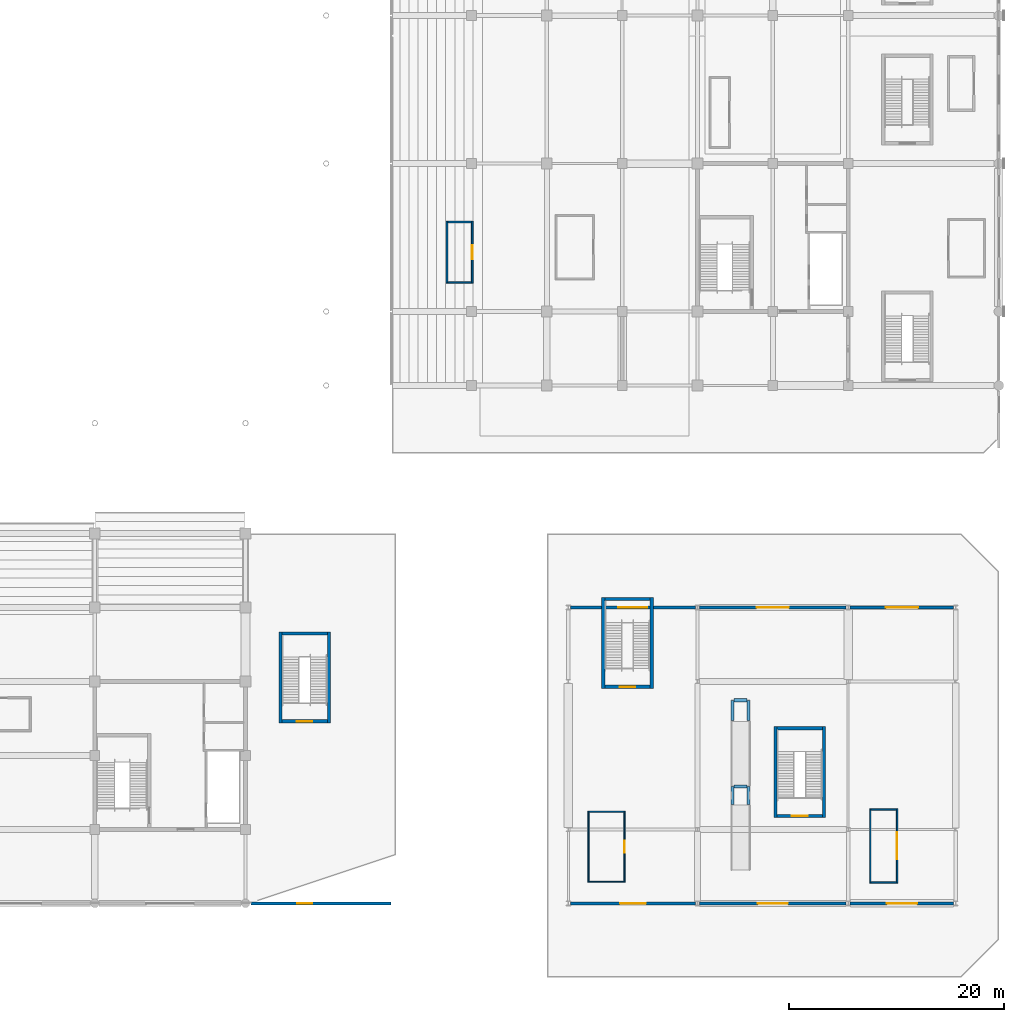
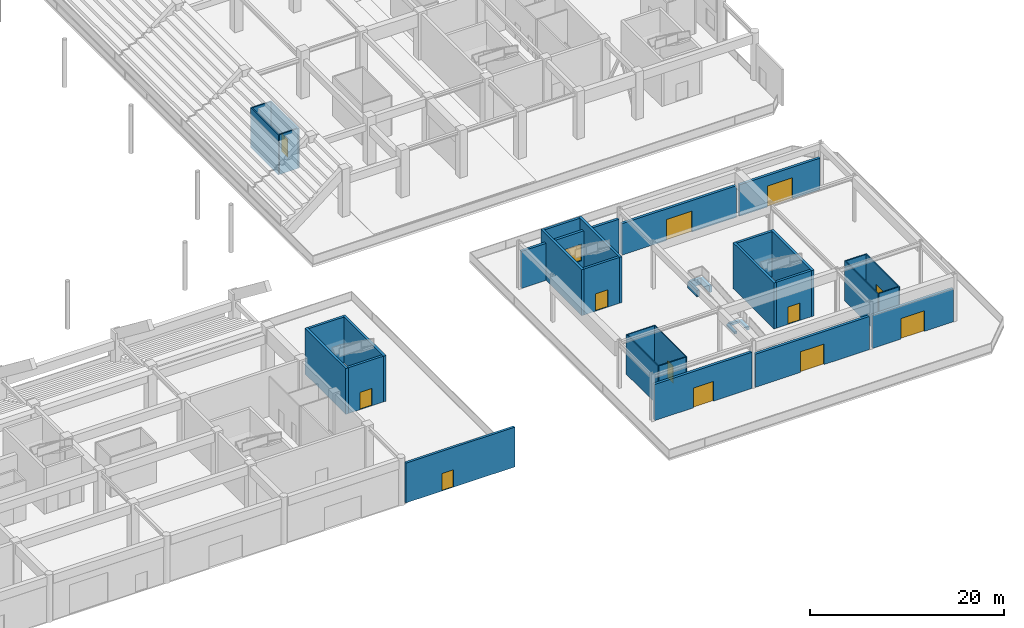
# One storey, part 43 of 73: 37 walls, 12 doors, 1 window, 13 openings.
"""IFC4 building model written with IfcOpenShell, lengths in metres."""

import ifcopenshell
import ifcopenshell.guid

model = None  # the IFC model being written
_history = None  # IfcOwnerHistory: only IFC2X3 demands one
_inside = {}  # id of a spatial element -> (the spatial element, [elements in it])
_under = {}  # id of a project, library or spatial element -> (it, [spatial elements below it])
_declared = {}  # id of a project -> (the project, [libraries it declares])
_typed = {}  # id of a type object -> (the type object, [elements of that type])
_made_of = {}  # id of a material, layer set ... -> (it, [elements and type objects made of it])


def new_model(schema):
    """Start an empty IFC model of exactly this schema.

    Asked for "IFC4X3", IfcOpenShell would pick the latest addendum, in which some entities
    have other attributes; the version numbers below select the first issue.
    IFC2X3 requires an IfcOwnerHistory on every rooted entity: one is made here for all.
    """
    global model, _history
    if schema == "IFC4X3":
        model = ifcopenshell.file(schema_version=(4, 3, 0, 0))
    else:
        model = ifcopenshell.file(schema=schema)
    _inside.clear()
    _under.clear()
    _declared.clear()
    _typed.clear()
    _made_of.clear()
    _history = None
    if model.schema == "IFC2X3":
        org = make("IfcOrganization", Name="unknown")
        user = make(
            "IfcPersonAndOrganization",
            ThePerson=make("IfcPerson", FamilyName="unknown"),
            TheOrganization=org,
        )
        app = make(
            "IfcApplication",
            ApplicationDeveloper=org,
            Version="unknown",
            ApplicationFullName="unknown",
            ApplicationIdentifier="unknown",
        )
        _history = make(
            "IfcOwnerHistory",
            OwningUser=user,
            OwningApplication=app,
            ChangeAction="ADDED",
            CreationDate=0,
        )
    return model


def make(cls, **values):
    """One entity of the class cls with the attributes given. An attribute that is None is left unset."""
    return model.create_entity(
        cls, **{name: value for name, value in values.items() if value is not None}
    )


def rooted(cls, **values):
    """An entity with a GlobalId (a new one), such as an element, a storey or a relation."""
    return make(cls, GlobalId=ifcopenshell.guid.new(), OwnerHistory=_history, **values)


def si_unit(unit_type, name, prefix=None):
    """IfcSIUnit, for example si_unit("LENGTHUNIT", "METRE", prefix="MILLI")."""
    return make("IfcSIUnit", UnitType=unit_type, Prefix=prefix, Name=name)


def assignment(units):
    """IfcUnitAssignment: the units of a project."""
    return None if units is None else make("IfcUnitAssignment", Units=units)


def point(xyz):
    """IfcCartesianPoint."""
    return None if xyz is None else make("IfcCartesianPoint", Coordinates=xyz)


def direction(xyz):
    """IfcDirection."""
    return None if xyz is None else make("IfcDirection", DirectionRatios=xyz)


def frame(location, z_axis=None, x_axis=None):
    """IfcAxis2Placement3D, a coordinate frame: its origin and axes. An axis left out is left unset."""
    return make(
        "IfcAxis2Placement3D",
        Location=point(location),
        Axis=direction(z_axis),
        RefDirection=direction(x_axis),
    )


def frame_2d(location, x_axis=None):
    """IfcAxis2Placement2D, a coordinate frame in the plane: its origin and x axis."""
    return make(
        "IfcAxis2Placement2D", Location=point(location), RefDirection=direction(x_axis)
    )


def origin():
    """The frame at (0, 0, 0) with its axes left unset."""
    return frame((0.0, 0.0, 0.0))


def place(relative_to, where):
    """IfcLocalPlacement: puts the frame where relative to a parent placement (None: the world)."""
    return make(
        "IfcLocalPlacement", PlacementRelTo=relative_to, RelativePlacement=where
    )


def context(
    kind, dimensions, precision=None, world=None, true_north=None, identifier=None
):
    """IfcGeometricRepresentationContext, for example the 3D "Model" context."""
    return make(
        "IfcGeometricRepresentationContext",
        ContextIdentifier=identifier,
        ContextType=kind,
        CoordinateSpaceDimension=dimensions,
        Precision=precision,
        WorldCoordinateSystem=world,
        TrueNorth=true_north,
    )


def subcontext(parent, identifier, kind, view, scale=None):
    """IfcGeometricRepresentationSubContext, for example "Body" below "Model"."""
    return make(
        "IfcGeometricRepresentationSubContext",
        ContextIdentifier=identifier,
        ContextType=kind,
        ParentContext=parent,
        TargetScale=scale,
        TargetView=view,
    )


def project(units=None, contexts=None):
    """IfcProject with its units and contexts."""
    return rooted(
        "IfcProject",
        Name="project",
        RepresentationContexts=contexts,
        UnitsInContext=assignment(units),
    )


def spatial(cls, under=None, at=None, **own):
    """A site, building, storey or space (cls), placed at a placement, below another one or the project."""
    s = rooted(cls, ObjectPlacement=at, **own)
    if under is not None:
        _under.setdefault(under.id(), (under, []))[1].append(s)
    return s


def profile(cls, at=None, kind="AREA", **sizes):
    """A parametric profile (cls). Its sizes go by their IFC names, for example OverallWidth=200.0."""
    return make(cls, ProfileType=kind, Position=at, **sizes)


def rectangle(**sizes):
    """IfcRectangleProfileDef."""
    return profile("IfcRectangleProfileDef", **sizes)


def extrude(swept, where, along, depth):
    """IfcExtrudedAreaSolid: the profile swept, set in the frame where, extruded along a direction by depth."""
    return make(
        "IfcExtrudedAreaSolid",
        SweptArea=swept,
        Position=where,
        ExtrudedDirection=direction(along),
        Depth=depth,
    )


def shape(context_of_items, identifier, shape_type, items):
    """IfcShapeRepresentation: the items that make up one representation, for example the "Body"."""
    return make(
        "IfcShapeRepresentation",
        ContextOfItems=context_of_items,
        RepresentationIdentifier=identifier,
        RepresentationType=shape_type,
        Items=items,
    )


def material(Name=None, Category=None):
    """IfcMaterial."""
    return make("IfcMaterial", Name=Name, Category=Category)


def layer(
    of_material, thickness, ventilated=None, Name=None, Category=None, Priority=None
):
    """IfcMaterialLayer: one layer of a wall or slab, of a material (None: an air gap)."""
    return make(
        "IfcMaterialLayer",
        Material=of_material,
        LayerThickness=thickness,
        IsVentilated=ventilated,
        Name=Name,
        Category=Category,
        Priority=Priority,
    )


def layer_set(layers, Name=None):
    """IfcMaterialLayerSet."""
    return make("IfcMaterialLayerSet", MaterialLayers=layers, LayerSetName=Name)


def made_of(thing, what):
    """Note that an element or type object is made of a material, layer set ...; save() writes the relation."""
    if what is not None:
        _made_of.setdefault(what.id(), (what, []))[1].append(thing)
    return thing


def type_object(cls, material=None, **own):
    """A type object (cls), such as IfcWallType, which elements share."""
    return made_of(rooted(cls, **own), material)


def element(
    cls,
    number,
    at=None,
    inside=None,
    cuts=None,
    type_object=None,
    material=None,
    context=None,
    identifier="Body",
    shape_type=None,
    held_by="IfcProductDefinitionShape",
    body=None,
    shapes=None,
    **own,
):
    """One element of the class cls, such as IfcWall. Its Tag is "e" and its number.

    at: its placement. inside: the storey or other place that contains it. cuts: it is an
    opening in that element (IfcRelVoidsElement). A single representation is given by context,
    identifier, shape_type and body (its items); several are given by shapes. held_by: the class
    of the entity that holds the representations. save() writes the other relations.
    """
    e = rooted(cls, Tag="e%d" % number, ObjectPlacement=at, **own)
    if body is not None:
        shapes = [shape(context, identifier, shape_type, body)]
    if shapes is not None:
        e.Representation = make(held_by, Representations=shapes)
    if inside is not None:
        _inside.setdefault(inside.id(), (inside, []))[1].append(e)
    if cuts is not None:
        rooted(
            "IfcRelVoidsElement", RelatingBuildingElement=cuts, RelatedOpeningElement=e
        )
    if type_object is not None:
        _typed.setdefault(type_object.id(), (type_object, []))[1].append(e)
    return made_of(e, material)


def fill(opening, filler):
    """IfcRelFillsElement: the door or window that sits in an opening."""
    return rooted(
        "IfcRelFillsElement",
        RelatingOpeningElement=opening,
        RelatedBuildingElement=filler,
    )


def aggregate(whole, parts):
    """IfcRelAggregates: a whole, such as a stair, and the parts it consists of."""
    return rooted("IfcRelAggregates", RelatingObject=whole, RelatedObjects=parts)


def save(model, path):
    """Write the relations noted so far, then the file.

    IfcRelAggregates (storeys below a building ...), IfcRelContainedInSpatialStructure (elements
    in a storey), IfcRelDefinesByType, IfcRelAssociatesMaterial and IfcRelDeclares: one each for
    every whole, place, type object, material and project.
    """
    for whole, parts in _under.values():
        aggregate(whole, parts)
    for where, things in _inside.values():
        rooted(
            "IfcRelContainedInSpatialStructure",
            RelatedElements=things,
            RelatingStructure=where,
        )
    for kind, things in _typed.values():
        rooted("IfcRelDefinesByType", RelatedObjects=things, RelatingType=kind)
    for what, things in _made_of.values():
        rooted("IfcRelAssociatesMaterial", RelatedObjects=things, RelatingMaterial=what)
    for by, libraries in _declared.values():
        rooted("IfcRelDeclares", RelatingContext=by, RelatedDefinitions=libraries)
    model.write(path)


model = new_model("IFC4")

# Units and contexts
model_context = context("Model", 3, precision=1e-05, world=origin(), true_north=direction((0.0, 1.0)))
body_context = subcontext(model_context, "Body", "Model", "MODEL_VIEW")
ifc_project = project(units=[si_unit("LENGTHUNIT", "METRE"), si_unit("AREAUNIT", "SQUARE_METRE"), si_unit("VOLUMEUNIT", "CUBIC_METRE"), si_unit("PLANEANGLEUNIT", "RADIAN"), si_unit("MASSUNIT", "GRAM", prefix="KILO")], contexts=[model_context])

# Site, building, storey
site_placement = place(None, origin())
site = spatial("IfcSite", under=ifc_project, at=site_placement, CompositionType="ELEMENT")
building_placement = place(site_placement, origin())
building = spatial("IfcBuilding", under=site, at=building_placement, Name="Linyun Crest Stadium", CompositionType="ELEMENT")
storey_placement = place(building_placement, origin())
storey = spatial("IfcBuildingStorey", under=building, at=storey_placement, Name="L01", CompositionType="ELEMENT", Elevation=0.0)

# Wall, opening, door
ifc_material_1 = material(Name="Concrete C40 with celadon ceramic faience", Category="concrete")
ifc_layer_1 = layer(ifc_material_1, 0.280029296875)
ifc_layer_set_1 = layer_set([ifc_layer_1], Name="Concrete C40 with celadon ceramic faience")
wall_type_1 = type_object("IfcWallType", Name="EW03", PredefinedType="SOLIDWALL", material=ifc_layer_set_1)
wall_1_placement = place(storey_placement, frame((41.5, -94.125, 0.0), z_axis=(0.0, 0.0, 1.0), x_axis=(-1.0, 0.0, 0.0)))
wall_1 = element("IfcWall", 1, at=wall_1_placement, inside=storey, type_object=wall_type_1, Name="Exterior wall EW03 L01 31", PredefinedType="SOLIDWALL", context=body_context, shape_type="SweptSolid", body=[
    extrude(rectangle(XDim=13.0, YDim=0.280029296875, at=frame_2d((6.5, 0.0))), origin(), (0.0, 0.0, 1.0), 5.02001953125),
])
opening_1_placement = place(wall_1_placement, frame((7.300048828125, 0.0, 0.0)))
opening_1 = element("IfcOpeningElement", 2, at=opening_1_placement, cuts=wall_1, Name="Opening E-ST29", PredefinedType="OPENING", context=body_context, shape_type="SweptSolid", body=[
    extrude(rectangle(XDim=1.39990234375, YDim=2.199951171875, at=frame_2d((0.699951171875, 1.10009765625))), frame((0.0, 0.14990234375, 0.0), z_axis=(0.0, -1.0, 0.0), x_axis=(1.0, 0.0, 0.0)), (0.0, 0.0, 1.0), 0.300048828125),
])
ifc_material_2 = material(Name="Galvanized fire-rated steel leaf", Category="steel")
ifc_layer_2 = layer(ifc_material_2, 0.054931640625)
ifc_layer_set_2 = layer_set([ifc_layer_2], Name="Galvanized fire-rated steel leaf")
door_type_1 = type_object("IfcDoorType", Name="FD09", OperationType="NOTDEFINED", PredefinedType="DOOR", material=ifc_layer_set_2)
door_1_placement = place(opening_1_placement, origin())
door_1 = element("IfcDoor", 3, at=door_1_placement, inside=storey, type_object=door_type_1, Name="Stair discharge exit E-ST29", OperationType="SINGLE_SWING_RIGHT", OverallHeight=2.199951171875, OverallWidth=1.39990234375, PredefinedType="DOOR", context=body_context, shape_type="SweptSolid", body=[
    extrude(rectangle(XDim=1.39990234375, YDim=2.199951171875, at=frame_2d((0.699951171875, 1.10009765625))), frame((0.0, 0.02490234375, 0.0), z_axis=(0.0, -1.0, 0.0), x_axis=(1.0, 0.0, 0.0)), (0.0, 0.0, 1.0), 0.050048828125),
])
fill(opening_1, door_1)

ifc_material_3 = material(Name="Concrete C40 with warm ochre ceramic faience", Category="concrete")
ifc_layer_3 = layer(ifc_material_3, 0.31005859375)
ifc_layer_set_3 = layer_set([ifc_layer_3], Name="Concrete C40 with warm ochre ceramic faience")
wall_type_2 = type_object("IfcWallType", Name="EW04", PredefinedType="SOLIDWALL", material=ifc_layer_set_3)
wall_2_placement = place(storey_placement, frame((69.81005859375, -94.125, 0.0), z_axis=(0.0, 0.0, 1.0), x_axis=(-1.0, 0.0, 0.0)))
wall_2 = element("IfcWall", 4, at=wall_2_placement, inside=storey, type_object=wall_type_2, Name="Exterior wall EW04 L01 50", PredefinedType="SOLIDWALL", context=body_context, shape_type="SweptSolid", body=[
    extrude(rectangle(XDim=11.6201171875, YDim=0.31005859375, at=frame_2d((5.81005859375, 0.0))), origin(), (0.0, 0.0, 1.0), 4.574951171875),
])
opening_2_placement = place(wall_2_placement, frame((4.610107421875, 0.0, 0.0)))
opening_2 = element("IfcOpeningElement", 5, at=opening_2_placement, cuts=wall_2, Name="Opening G17", PredefinedType="OPENING", context=body_context, shape_type="SweptSolid", body=[
    extrude(rectangle(XDim=2.39990234375, YDim=2.5, at=frame_2d((1.199951171875, 1.25))), frame((0.0, 0.1650390625, 0.0), z_axis=(0.0, -1.0, 0.0), x_axis=(1.0, 0.0, 0.0)), (0.0, 0.0, 1.0), 0.330078125),
])
ifc_material_4 = material(Name="Verdigris painted steel botanical gate", Category="steel")
ifc_layer_4 = layer(ifc_material_4, 0.054931640625)
ifc_layer_set_4 = layer_set([ifc_layer_4], Name="Verdigris painted steel botanical gate")
door_type_2 = type_object("IfcDoorType", Name="GD01", OperationType="NOTDEFINED", PredefinedType="DOOR", material=ifc_layer_set_4)
door_2_placement = place(opening_2_placement, origin())
door_2 = element("IfcDoor", 6, at=door_2_placement, inside=storey, type_object=door_type_2, Name="Pedestrian exit gate G17", OperationType="DOUBLE_DOOR_SINGLE_SWING", OverallHeight=2.5, OverallWidth=2.39990234375, PredefinedType="DOOR", context=body_context, shape_type="SweptSolid", body=[
    extrude(rectangle(XDim=2.39990234375, YDim=2.5, at=frame_2d((1.199951171875, 1.25))), frame((0.0, 0.02490234375, 0.0), z_axis=(0.0, -1.0, 0.0), x_axis=(1.0, 0.0, 0.0)), (0.0, 0.0, 1.0), 0.050048828125),
])
fill(opening_2, door_2)

# Wall, opening, window
wall_3_placement = place(storey_placement, frame((58.18994140625, -66.625, 0.0), z_axis=(0.0, 0.0, 1.0), x_axis=(1.0, 0.0, 0.0)))
wall_3 = element("IfcWall", 7, at=wall_3_placement, inside=storey, type_object=wall_type_2, Name="Exterior wall EW04 L01 51", PredefinedType="SOLIDWALL", context=body_context, shape_type="SweptSolid", body=[
    extrude(rectangle(XDim=11.6201171875, YDim=0.31005859375, at=frame_2d((5.81005859375, 0.0))), origin(), (0.0, 0.0, 1.0), 4.675048828125),
])
opening_3_placement = place(wall_3_placement, frame((4.4599609375, 0.0, 1.0)))
opening_3 = element("IfcOpeningElement", 8, at=opening_3_placement, cuts=wall_3, Name="Opening WN05", PredefinedType="OPENING", context=body_context, shape_type="SweptSolid", body=[
    extrude(rectangle(XDim=2.699951171875, YDim=2.10009765625, at=frame_2d((1.35009765625, 1.050048828125))), frame((0.0, 0.1650390625, 0.0), z_axis=(0.0, -1.0, 0.0), x_axis=(1.0, 0.0, 0.0)), (0.0, 0.0, 1.0), 0.330078125),
])
ifc_material_5 = material(Name="Verdigris steel Art Nouveau arched window", Category="steel")
ifc_layer_5 = layer(ifc_material_5, 0.06494140625)
ifc_layer_set_5 = layer_set([ifc_layer_5], Name="Verdigris steel Art Nouveau arched window")
window_type = type_object("IfcWindowType", Name="WN05", PartitioningType="SINGLE_PANEL", PredefinedType="WINDOW", material=ifc_layer_set_5)
window_placement = place(opening_3_placement, origin())
window = element("IfcWindow", 9, at=window_placement, inside=storey, type_object=window_type, Name="Window WN05 L01 29", OverallHeight=2.10009765625, OverallWidth=2.699951171875, PartitioningType="SINGLE_PANEL", PredefinedType="WINDOW", context=body_context, shape_type="SweptSolid", body=[
    extrude(rectangle(XDim=2.699951171875, YDim=2.10009765625, at=frame_2d((1.35009765625, 1.050048828125))), frame((0.0, 0.030029296875, 0.0), z_axis=(0.0, -1.0, 0.0), x_axis=(1.0, 0.0, 0.0)), (0.0, 0.0, 1.0), 0.06005859375),
])
fill(opening_3, window)

# Wall, opening, door
wall_4_placement = place(storey_placement, frame((83.81005859375, -94.125, 0.0), z_axis=(0.0, 0.0, 1.0), x_axis=(-1.0, 0.0, 0.0)))
wall_4 = element("IfcWall", 10, at=wall_4_placement, inside=storey, type_object=wall_type_2, Name="Exterior wall EW04 L01 54", PredefinedType="SOLIDWALL", context=body_context, shape_type="SweptSolid", body=[
    extrude(rectangle(XDim=13.6201171875, YDim=0.31005859375, at=frame_2d((6.81005859375, 0.0))), origin(), (0.0, 0.0, 1.0), 4.175048828125),
])
opening_4_placement = place(wall_4_placement, frame((5.409912109375, 0.0, 0.0)))
opening_4 = element("IfcOpeningElement", 11, at=opening_4_placement, cuts=wall_4, Name="Opening G19", PredefinedType="OPENING", context=body_context, shape_type="SweptSolid", body=[
    extrude(rectangle(XDim=2.800048828125, YDim=2.60009765625, at=frame_2d((1.39990234375, 1.300048828125))), frame((0.0, 0.1650390625, 0.0), z_axis=(0.0, -1.0, 0.0), x_axis=(1.0, 0.0, 0.0)), (0.0, 0.0, 1.0), 0.330078125),
])
ifc_material_6 = material(Name="Verdigris painted steel botanical gate", Category="steel")
ifc_layer_6 = layer(ifc_material_6, 0.054931640625)
ifc_layer_set_6 = layer_set([ifc_layer_6], Name="Verdigris painted steel botanical gate")
door_type_3 = type_object("IfcDoorType", Name="GD03", OperationType="NOTDEFINED", PredefinedType="DOOR", material=ifc_layer_set_6)
door_3_placement = place(opening_4_placement, origin())
door_3 = element("IfcDoor", 12, at=door_3_placement, inside=storey, type_object=door_type_3, Name="Pedestrian exit gate G19", OperationType="DOUBLE_DOOR_SINGLE_SWING", OverallHeight=2.60009765625, OverallWidth=2.800048828125, PredefinedType="DOOR", context=body_context, shape_type="SweptSolid", body=[
    extrude(rectangle(XDim=2.800048828125, YDim=2.60009765625, at=frame_2d((1.39990234375, 1.300048828125))), frame((0.0, 0.02490234375, 0.0), z_axis=(0.0, -1.0, 0.0), x_axis=(1.0, 0.0, 0.0)), (0.0, 0.0, 1.0), 0.050048828125),
])
fill(opening_4, door_3)

wall_5_placement = place(storey_placement, frame((70.18994140625, -66.625, 0.0), z_axis=(0.0, 0.0, 1.0), x_axis=(1.0, 0.0, 0.0)))
wall_5 = element("IfcWall", 13, at=wall_5_placement, inside=storey, type_object=wall_type_2, Name="Exterior wall EW04 L01 55", PredefinedType="SOLIDWALL", context=body_context, shape_type="SweptSolid", body=[
    extrude(rectangle(XDim=13.6201171875, YDim=0.31005859375, at=frame_2d((6.81005859375, 0.0))), origin(), (0.0, 0.0, 1.0), 3.97509765625),
])
opening_5_placement = place(wall_5_placement, frame((5.31005859375, 0.0, 0.0)))
opening_5 = element("IfcOpeningElement", 14, at=opening_5_placement, cuts=wall_5, Name="Opening G20", PredefinedType="OPENING", context=body_context, shape_type="SweptSolid", body=[
    extrude(rectangle(XDim=3.0, YDim=2.64990234375, at=frame_2d((1.5, 1.324951171875))), frame((0.0, 0.1650390625, 0.0), z_axis=(0.0, -1.0, 0.0), x_axis=(1.0, 0.0, 0.0)), (0.0, 0.0, 1.0), 0.330078125),
])
ifc_material_7 = material(Name="Verdigris painted steel botanical gate", Category="steel")
ifc_layer_7 = layer(ifc_material_7, 0.06005859375)
ifc_layer_set_7 = layer_set([ifc_layer_7], Name="Verdigris painted steel botanical gate")
door_type_4 = type_object("IfcDoorType", Name="GD04", OperationType="NOTDEFINED", PredefinedType="DOOR", material=ifc_layer_set_7)
door_4_placement = place(opening_5_placement, origin())
door_4 = element("IfcDoor", 15, at=door_4_placement, inside=storey, type_object=door_type_4, Name="Pedestrian exit gate G20", OperationType="DOUBLE_DOOR_SINGLE_SWING", OverallHeight=2.64990234375, OverallWidth=3.0, PredefinedType="DOOR", context=body_context, shape_type="SweptSolid", body=[
    extrude(rectangle(XDim=3.0, YDim=2.64990234375, at=frame_2d((1.5, 1.324951171875))), frame((0.0, 0.02490234375, 0.0), z_axis=(0.0, -1.0, 0.0), x_axis=(1.0, 0.0, 0.0)), (0.0, 0.0, 1.0), 0.050048828125),
])
fill(opening_5, door_4)

wall_6_placement = place(storey_placement, frame((93.81005859375, -94.125, 0.0), z_axis=(0.0, 0.0, 1.0), x_axis=(-1.0, 0.0, 0.0)))
wall_6 = element("IfcWall", 16, at=wall_6_placement, inside=storey, type_object=wall_type_2, Name="Exterior wall EW04 L01 58", PredefinedType="SOLIDWALL", context=body_context, shape_type="SweptSolid", body=[
    extrude(rectangle(XDim=9.6201171875, YDim=0.31005859375, at=frame_2d((4.81005859375, 0.0))), origin(), (0.0, 0.0, 1.0), 4.175048828125),
])
opening_6_placement = place(wall_6_placement, frame((3.409912109375, 0.0, 0.0)))
opening_6 = element("IfcOpeningElement", 17, at=opening_6_placement, cuts=wall_6, Name="Opening G23", PredefinedType="OPENING", context=body_context, shape_type="SweptSolid", body=[
    extrude(rectangle(XDim=2.800048828125, YDim=2.60009765625, at=frame_2d((1.39990234375, 1.300048828125))), frame((0.0, 0.1650390625, 0.0), z_axis=(0.0, -1.0, 0.0), x_axis=(1.0, 0.0, 0.0)), (0.0, 0.0, 1.0), 0.330078125),
])
door_5_placement = place(opening_6_placement, origin())
door_5 = element("IfcDoor", 18, at=door_5_placement, inside=storey, type_object=door_type_3, Name="Pedestrian exit gate G23", OperationType="DOUBLE_DOOR_SINGLE_SWING", OverallHeight=2.60009765625, OverallWidth=2.800048828125, PredefinedType="DOOR", context=body_context, shape_type="SweptSolid", body=[
    extrude(rectangle(XDim=2.800048828125, YDim=2.60009765625, at=frame_2d((1.39990234375, 1.300048828125))), frame((0.0, 0.02490234375, 0.0), z_axis=(0.0, -1.0, 0.0), x_axis=(1.0, 0.0, 0.0)), (0.0, 0.0, 1.0), 0.050048828125),
])
fill(opening_6, door_5)

wall_7_placement = place(storey_placement, frame((84.18994140625, -66.625, 0.0), z_axis=(0.0, 0.0, 1.0), x_axis=(1.0, 0.0, 0.0)))
wall_7 = element("IfcWall", 19, at=wall_7_placement, inside=storey, type_object=wall_type_2, Name="Exterior wall EW04 L01 59", PredefinedType="SOLIDWALL", context=body_context, shape_type="SweptSolid", body=[
    extrude(rectangle(XDim=9.6201171875, YDim=0.31005859375, at=frame_2d((4.81005859375, 0.0))), origin(), (0.0, 0.0, 1.0), 3.97509765625),
])
opening_7_placement = place(wall_7_placement, frame((3.31005859375, 0.0, 0.0)))
opening_7 = element("IfcOpeningElement", 20, at=opening_7_placement, cuts=wall_7, Name="Opening G24", PredefinedType="OPENING", context=body_context, shape_type="SweptSolid", body=[
    extrude(rectangle(XDim=3.0, YDim=2.64990234375, at=frame_2d((1.5, 1.324951171875))), frame((0.0, 0.1650390625, 0.0), z_axis=(0.0, -1.0, 0.0), x_axis=(1.0, 0.0, 0.0)), (0.0, 0.0, 1.0), 0.330078125),
])
door_6_placement = place(opening_7_placement, origin())
door_6 = element("IfcDoor", 21, at=door_6_placement, inside=storey, type_object=door_type_4, Name="Pedestrian exit gate G24", OperationType="DOUBLE_DOOR_SINGLE_SWING", OverallHeight=2.64990234375, OverallWidth=3.0, PredefinedType="DOOR", context=body_context, shape_type="SweptSolid", body=[
    extrude(rectangle(XDim=3.0, YDim=2.64990234375, at=frame_2d((1.5, 1.324951171875))), frame((0.0, 0.02490234375, 0.0), z_axis=(0.0, -1.0, 0.0), x_axis=(1.0, 0.0, 0.0)), (0.0, 0.0, 1.0), 0.050048828125),
])
fill(opening_7, door_6)

ifc_material_8 = material(Name="Steel-stud gypsum corridor fire partition", Category="steel")
ifc_layer_8 = layer(ifc_material_8, 0.14990234375)
ifc_layer_set_8 = layer_set([ifc_layer_8], Name="Steel-stud gypsum corridor fire partition")
wall_type_3 = type_object("IfcWallType", Name="PW14", PredefinedType="PARTITIONING", material=ifc_layer_set_8)
wall_8_placement = place(storey_placement, frame((49.069091796875, -30.735107421875, 0.0), z_axis=(0.0, 0.0, 1.0), x_axis=(0.0, -1.0, 0.0)))
wall_8 = element("IfcWall", 22, at=wall_8_placement, inside=storey, type_object=wall_type_3, Name="Partition PW14 L01 264", PredefinedType="PARTITIONING", context=body_context, shape_type="SweptSolid", body=[
    extrude(rectangle(XDim=5.760009765625, YDim=0.14990234375, at=frame_2d((2.8798828125, 0.0))), origin(), (0.0, 0.0, 1.0), 5.02001953125),
])
opening_8_placement = place(wall_8_placement, frame((2.22998046875, 0.0, 0.0)))
opening_8 = element("IfcOpeningElement", 23, at=opening_8_placement, cuts=wall_8, Name="Opening D-L01-527", PredefinedType="OPENING", context=body_context, shape_type="SweptSolid", body=[
    extrude(rectangle(XDim=1.300048828125, YDim=2.300048828125, at=frame_2d((0.64990234375, 1.14990234375))), frame((0.0, 0.0849609375, 0.0), z_axis=(0.0, -1.0, 0.0), x_axis=(1.0, 0.0, 0.0)), (0.0, 0.0, 1.0), 0.169921875),
])
ifc_material_9 = material(Name="High-STC acoustic steel studio door", Category="steel")
ifc_layer_9 = layer(ifc_material_9, 0.06494140625)
ifc_layer_set_9 = layer_set([ifc_layer_9], Name="High-STC acoustic steel studio door")
door_type_5 = type_object("IfcDoorType", Name="ID08", OperationType="NOTDEFINED", PredefinedType="DOOR", material=ifc_layer_set_9)
door_7_placement = place(opening_8_placement, origin())
door_7 = element("IfcDoor", 24, at=door_7_placement, inside=storey, type_object=door_type_5, Name="Door D-L01-527", OperationType="SINGLE_SWING_LEFT", OverallHeight=2.300048828125, OverallWidth=1.300048828125, PredefinedType="DOOR", context=body_context, shape_type="SweptSolid", body=[
    extrude(rectangle(XDim=1.300048828125, YDim=2.300048828125, at=frame_2d((0.64990234375, 1.14990234375))), frame((0.0, 0.02490234375, 0.0), z_axis=(0.0, -1.0, 0.0), x_axis=(1.0, 0.0, 0.0)), (0.0, 0.0, 1.0), 0.050048828125),
])
fill(opening_8, door_7)

# Walls
wall_9_placement = place(storey_placement, frame((46.718994140625, -36.4951171875, 0.0), z_axis=(0.0, 0.0, 1.0), x_axis=(0.0, 1.0, 0.0)))
element("IfcWall", 25, at=wall_9_placement, inside=storey, type_object=wall_type_3, Name="Enclosure partition PW14 L01 508", PredefinedType="PARTITIONING", context=body_context, shape_type="SweptSolid", body=[
    extrude(rectangle(XDim=5.760009765625, YDim=0.14990234375, at=frame_2d((2.8798828125, 0.0))), origin(), (0.0, 0.0, 1.0), 5.02001953125),
])
for number, where, z_axis, x_axis, name in (
    (26, (46.7939453125, -36.419921875, 0.0), (0.0, 0.0, 1.0), (1.0, 0.0, 0.0), "Enclosure partition PW14 L01 509"),
    (27, (46.7939453125, -30.81005859375, 0.0), (0.0, 0.0, 1.0), (1.0, 0.0, 0.0), "Enclosure partition PW14 L01 510"),
):
    element("IfcWall", number, at=place(storey_placement, frame(where, z_axis=z_axis, x_axis=x_axis)), inside=storey, type_object=wall_type_3, Name=name, PredefinedType="PARTITIONING", context=body_context, shape_type="SweptSolid", body=[
        extrude(rectangle(XDim=2.199951171875, YDim=0.14990234375, at=frame_2d((1.10009765625, 0.0))), origin(), (0.0, 0.0, 1.0), 5.02001953125),
    ])

# Wall, opening, door
ifc_material_10 = material(Name="Lightweight demountable office partition")
ifc_layer_10 = layer(ifc_material_10, 0.110107421875)
ifc_layer_set_10 = layer_set([ifc_layer_10], Name="Lightweight demountable office partition")
wall_type_4 = type_object("IfcWallType", Name="PW18", PredefinedType="PARTITIONING", material=ifc_layer_set_10)
wall_10_placement = place(storey_placement, frame((63.217041015625, -85.544921875, 0.0), z_axis=(0.0, 0.0, 1.0), x_axis=(0.0, -1.0, 0.0)))
wall_10 = element("IfcWall", 28, at=wall_10_placement, inside=storey, type_object=wall_type_4, Name="Partition PW18 L01 179", PredefinedType="PARTITIONING", context=body_context, shape_type="SweptSolid", body=[
    extrude(rectangle(XDim=6.630126953125, YDim=0.110107421875, at=frame_2d((3.31494140625, 0.0))), origin(), (0.0, 0.0, 1.0), 5.02001953125),
])
opening_9_placement = place(wall_10_placement, frame((2.739990234375, 0.0, 0.0)))
opening_9 = element("IfcOpeningElement", 29, at=opening_9_placement, cuts=wall_10, Name="Opening D-L01-442", PredefinedType="OPENING", context=body_context, shape_type="SweptSolid", body=[
    extrude(rectangle(XDim=1.14990234375, YDim=2.199951171875, at=frame_2d((0.574951171875, 1.10009765625))), frame((0.0, 0.06494140625, 0.0), z_axis=(0.0, -1.0, 0.0), x_axis=(1.0, 0.0, 0.0)), (0.0, 0.0, 1.0), 0.130126953125),
])
ifc_material_11 = material(Name="Solid timber acoustic door", Category="wood")
ifc_layer_11 = layer(ifc_material_11, 0.050048828125)
ifc_layer_set_11 = layer_set([ifc_layer_11], Name="Solid timber acoustic door")
door_type_6 = type_object("IfcDoorType", Name="ID15", OperationType="NOTDEFINED", PredefinedType="DOOR", material=ifc_layer_set_11)
door_8_placement = place(opening_9_placement, origin())
door_8 = element("IfcDoor", 30, at=door_8_placement, inside=storey, type_object=door_type_6, Name="Door D-L01-442", OperationType="SINGLE_SWING_RIGHT", OverallHeight=2.199951171875, OverallWidth=1.14990234375, PredefinedType="DOOR", context=body_context, shape_type="SweptSolid", body=[
    extrude(rectangle(XDim=1.14990234375, YDim=2.199951171875, at=frame_2d((0.574951171875, 1.10009765625))), frame((0.0, 0.02490234375, 0.0), z_axis=(0.0, -1.0, 0.0), x_axis=(1.0, 0.0, 0.0)), (0.0, 0.0, 1.0), 0.050048828125),
])
fill(opening_9, door_8)

# Walls
wall_11_placement = place(storey_placement, frame((59.876953125, -92.175048828125, 0.0), z_axis=(0.0, 0.0, 1.0), x_axis=(0.0, 1.0, 0.0)))
element("IfcWall", 31, at=wall_11_placement, inside=storey, type_object=wall_type_4, Name="Enclosure partition PW18 L01 253", PredefinedType="PARTITIONING", context=body_context, shape_type="SweptSolid", body=[
    extrude(rectangle(XDim=6.630126953125, YDim=0.110107421875, at=frame_2d((3.31494140625, 0.0))), origin(), (0.0, 0.0, 1.0), 5.02001953125),
])
for number, where, z_axis, x_axis, name in (
    (32, (59.931884765625, -92.1201171875, 0.0), (0.0, 0.0, 1.0), (1.0, 0.0, 0.0), "Enclosure partition PW18 L01 254"),
    (33, (59.931884765625, -85.60009765625, 0.0), (0.0, 0.0, 1.0), (1.0, 0.0, 0.0), "Enclosure partition PW18 L01 255"),
):
    element("IfcWall", number, at=place(storey_placement, frame(where, z_axis=z_axis, x_axis=x_axis)), inside=storey, type_object=wall_type_4, Name=name, PredefinedType="PARTITIONING", context=body_context, shape_type="SweptSolid", body=[
        extrude(rectangle(XDim=3.230224609375, YDim=0.110107421875, at=frame_2d((1.615234375, 0.0))), origin(), (0.0, 0.0, 1.0), 5.02001953125),
    ])

# Wall, opening, door
ifc_material_12 = material(Name="Impact-resistant community sports hall lining")
ifc_layer_12 = layer(ifc_material_12, 0.135009765625)
ifc_layer_set_12 = layer_set([ifc_layer_12], Name="Impact-resistant community sports hall lining")
wall_type_5 = type_object("IfcWallType", Name="PW19", PredefinedType="PARTITIONING", material=ifc_layer_set_12)
wall_12_placement = place(storey_placement, frame((88.550048828125, -85.321044921875, 0.0), z_axis=(0.0, 0.0, 1.0), x_axis=(0.0, -1.0, 0.0)))
wall_12 = element("IfcWall", 34, at=wall_12_placement, inside=storey, type_object=wall_type_5, Name="Partition PW19 L01 180", PredefinedType="PARTITIONING", context=body_context, shape_type="SweptSolid", body=[
    extrude(rectangle(XDim=6.919921875, YDim=0.135009765625, at=frame_2d((3.4599609375, 0.0))), origin(), (0.0, 0.0, 1.0), 5.02001953125),
])
opening_10_placement = place(wall_12_placement, frame((2.2099609375, 0.0, 0.0)))
opening_10 = element("IfcOpeningElement", 35, at=opening_10_placement, cuts=wall_12, Name="Opening D-L01-443", PredefinedType="OPENING", context=body_context, shape_type="SweptSolid", body=[
    extrude(rectangle(XDim=2.5, YDim=2.5, at=frame_2d((1.25, 1.25))), frame((0.0, 0.077392578125, 0.0), z_axis=(0.0, -1.0, 0.0), x_axis=(1.0, 0.0, 0.0)), (0.0, 0.0, 1.0), 0.155029296875),
])
ifc_material_13 = material(Name="Verdigris framed glazed concourse door")
ifc_layer_13 = layer(ifc_material_13, 0.054931640625)
ifc_layer_set_13 = layer_set([ifc_layer_13], Name="Verdigris framed glazed concourse door")
door_type_7 = type_object("IfcDoorType", Name="ID16", OperationType="NOTDEFINED", PredefinedType="DOOR", material=ifc_layer_set_13)
door_9_placement = place(opening_10_placement, origin())
door_9 = element("IfcDoor", 36, at=door_9_placement, inside=storey, type_object=door_type_7, Name="Door D-L01-443", OperationType="DOUBLE_DOOR_SINGLE_SWING", OverallHeight=2.5, OverallWidth=2.5, PredefinedType="DOOR", context=body_context, shape_type="SweptSolid", body=[
    extrude(rectangle(XDim=2.5, YDim=2.5, at=frame_2d((1.25, 1.25))), frame((0.0, 0.02490234375, 0.0), z_axis=(0.0, -1.0, 0.0), x_axis=(1.0, 0.0, 0.0)), (0.0, 0.0, 1.0), 0.050048828125),
])
fill(opening_10, door_9)

# Walls
wall_13_placement = place(storey_placement, frame((86.050048828125, -92.240966796875, 0.0), z_axis=(0.0, 0.0, 1.0), x_axis=(0.0, 1.0, 0.0)))
element("IfcWall", 37, at=wall_13_placement, inside=storey, type_object=wall_type_5, Name="Enclosure partition PW19 L01 256", PredefinedType="PARTITIONING", context=body_context, shape_type="SweptSolid", body=[
    extrude(rectangle(XDim=6.919921875, YDim=0.135009765625, at=frame_2d((3.4599609375, 0.0))), origin(), (0.0, 0.0, 1.0), 5.02001953125),
])
for number, where, z_axis, x_axis, name in (
    (38, (86.117919921875, -92.173095703125, 0.0), (0.0, 0.0, 1.0), (1.0, 0.0, 0.0), "Enclosure partition PW19 L01 257"),
    (39, (86.117919921875, -85.388916015625, 0.0), (0.0, 0.0, 1.0), (1.0, 0.0, 0.0), "Enclosure partition PW19 L01 258"),
):
    element("IfcWall", number, at=place(storey_placement, frame(where, z_axis=z_axis, x_axis=x_axis)), inside=storey, type_object=wall_type_5, Name=name, PredefinedType="PARTITIONING", context=body_context, shape_type="SweptSolid", body=[
        extrude(rectangle(XDim=2.364013671875, YDim=0.135009765625, at=frame_2d((1.18212890625, 0.0))), origin(), (0.0, 0.0, 1.0), 5.02001953125),
    ])

# Wall, opening, door
ifc_material_14 = material(Name="Concrete C50", Category="concrete")
ifc_layer_14 = layer(ifc_material_14, 0.300048828125)
ifc_layer_set_14 = layer_set([ifc_layer_14], Name="Concrete C50")
wall_type_6 = type_object("IfcWallType", Name="SW01", PredefinedType="SHEAR", material=ifc_layer_set_14)
wall_14_placement = place(storey_placement, frame((31.39990234375, -77.199951171875, 0.0), z_axis=(0.0, 0.0, 1.0), x_axis=(1.0, 0.0, 0.0)))
wall_14 = element("IfcWall", 40, at=wall_14_placement, inside=storey, type_object=wall_type_6, Name="Stair shaft wall SW01 STR-29 L01 S", PredefinedType="SHEAR", context=body_context, shape_type="SweptSolid", body=[
    extrude(rectangle(XDim=4.2001953125, YDim=0.300048828125, at=frame_2d((2.10009765625, 0.0))), origin(), (0.0, 0.0, 1.0), 5.780029296875),
])
opening_11_placement = place(wall_14_placement, frame((1.375, 0.0, 0.0)))
opening_11 = element("IfcOpeningElement", 41, at=opening_11_placement, cuts=wall_14, Name="Opening D-L01-624", PredefinedType="OPENING", context=body_context, shape_type="SweptSolid", body=[
    extrude(rectangle(XDim=1.449951171875, YDim=2.199951171875, at=frame_2d((0.72509765625, 1.10009765625))), frame((0.0, 0.159912109375, 0.0), z_axis=(0.0, -1.0, 0.0), x_axis=(1.0, 0.0, 0.0)), (0.0, 0.0, 1.0), 0.320068359375),
])
ifc_material_15 = material(Name="Galvanized steel Class A fire door", Category="steel")
ifc_layer_15 = layer(ifc_material_15, 0.054931640625)
ifc_layer_set_15 = layer_set([ifc_layer_15], Name="Galvanized steel Class A fire door")
door_type_8 = type_object("IfcDoorType", Name="FD02", OperationType="NOTDEFINED", PredefinedType="DOOR", material=ifc_layer_set_15)
door_10_placement = place(opening_11_placement, origin())
door_10 = element("IfcDoor", 42, at=door_10_placement, inside=storey, type_object=door_type_8, Name="Door D-L01-624", OperationType="SINGLE_SWING_RIGHT", OverallHeight=2.199951171875, OverallWidth=1.449951171875, PredefinedType="DOOR", context=body_context, shape_type="SweptSolid", body=[
    extrude(rectangle(XDim=1.449951171875, YDim=2.199951171875, at=frame_2d((0.72509765625, 1.10009765625))), frame((0.0, 0.02490234375, 0.0), z_axis=(0.0, -1.0, 0.0), x_axis=(1.0, 0.0, 0.0)), (0.0, 0.0, 1.0), 0.050048828125),
])
fill(opening_11, door_10)

# Walls
wall_15_placement = place(storey_placement, frame((31.39990234375, -69.050048828125, 0.0), z_axis=(0.0, 0.0, 1.0), x_axis=(1.0, 0.0, 0.0)))
element("IfcWall", 43, at=wall_15_placement, inside=storey, type_object=wall_type_6, Name="Stair shaft wall SW01 STR-29 L01 N", PredefinedType="SHEAR", context=body_context, shape_type="SweptSolid", body=[
    extrude(rectangle(XDim=4.2001953125, YDim=0.300048828125, at=frame_2d((2.10009765625, 0.0))), origin(), (0.0, 0.0, 1.0), 5.780029296875),
])
for number, where, z_axis, x_axis, name in (
    (44, (31.25, -77.35009765625, 0.0), (0.0, 0.0, 1.0), (0.0, 1.0, 0.0), "Stair shaft wall SW01 STR-29 L01 W"),
    (45, (35.75, -77.35009765625, 0.0), (0.0, 0.0, 1.0), (0.0, 1.0, 0.0), "Stair shaft wall SW01 STR-29 L01 E"),
):
    element("IfcWall", number, at=place(storey_placement, frame(where, z_axis=z_axis, x_axis=x_axis)), inside=storey, type_object=wall_type_6, Name=name, PredefinedType="SHEAR", context=body_context, shape_type="SweptSolid", body=[
        extrude(rectangle(XDim=8.4501953125, YDim=0.300048828125, at=frame_2d((4.22509765625, 0.0))), origin(), (0.0, 0.0, 1.0), 5.780029296875),
    ])

# Wall, opening, door
wall_16_placement = place(storey_placement, frame((77.39990234375, -86.0, 0.0), z_axis=(0.0, 0.0, 1.0), x_axis=(1.0, 0.0, 0.0)))
wall_16 = element("IfcWall", 46, at=wall_16_placement, inside=storey, type_object=wall_type_6, Name="Stair shaft wall SW01 STR-31 L01 S", PredefinedType="SHEAR", context=body_context, shape_type="SweptSolid", body=[
    extrude(rectangle(XDim=4.2001953125, YDim=0.300048828125, at=frame_2d((2.10009765625, 0.0))), origin(), (0.0, 0.0, 1.0), 5.800048828125),
])
opening_12_placement = place(wall_16_placement, frame((1.375, 0.0, 0.0)))
opening_12 = element("IfcOpeningElement", 47, at=opening_12_placement, cuts=wall_16, Name="Opening D-L01-631", PredefinedType="OPENING", context=body_context, shape_type="SweptSolid", body=[
    extrude(rectangle(XDim=1.449951171875, YDim=2.199951171875, at=frame_2d((0.72509765625, 1.10009765625))), frame((0.0, 0.159912109375, 0.0), z_axis=(0.0, -1.0, 0.0), x_axis=(1.0, 0.0, 0.0)), (0.0, 0.0, 1.0), 0.320068359375),
])
door_11_placement = place(opening_12_placement, origin())
door_11 = element("IfcDoor", 48, at=door_11_placement, inside=storey, type_object=door_type_8, Name="Door D-L01-631", OperationType="SINGLE_SWING_LEFT", OverallHeight=2.199951171875, OverallWidth=1.449951171875, PredefinedType="DOOR", context=body_context, shape_type="SweptSolid", body=[
    extrude(rectangle(XDim=1.449951171875, YDim=2.199951171875, at=frame_2d((0.72509765625, 1.10009765625))), frame((0.0, 0.02490234375, 0.0), z_axis=(0.0, -1.0, 0.0), x_axis=(1.0, 0.0, 0.0)), (0.0, 0.0, 1.0), 0.050048828125),
])
fill(opening_12, door_11)

# Walls
wall_17_placement = place(storey_placement, frame((77.39990234375, -77.85009765625, 0.0), z_axis=(0.0, 0.0, 1.0), x_axis=(1.0, 0.0, 0.0)))
element("IfcWall", 49, at=wall_17_placement, inside=storey, type_object=wall_type_6, Name="Stair shaft wall SW01 STR-31 L01 N", PredefinedType="SHEAR", context=body_context, shape_type="SweptSolid", body=[
    extrude(rectangle(XDim=4.2001953125, YDim=0.300048828125, at=frame_2d((2.10009765625, 0.0))), origin(), (0.0, 0.0, 1.0), 5.800048828125),
])
for number, where, z_axis, x_axis, name in (
    (50, (77.25, -86.14990234375, 0.0), (0.0, 0.0, 1.0), (0.0, 1.0, 0.0), "Stair shaft wall SW01 STR-31 L01 W"),
    (51, (81.75, -86.14990234375, 0.0), (0.0, 0.0, 1.0), (0.0, 1.0, 0.0), "Stair shaft wall SW01 STR-31 L01 E"),
):
    element("IfcWall", number, at=place(storey_placement, frame(where, z_axis=z_axis, x_axis=x_axis)), inside=storey, type_object=wall_type_6, Name=name, PredefinedType="SHEAR", context=body_context, shape_type="SweptSolid", body=[
        extrude(rectangle(XDim=8.449951171875, YDim=0.300048828125, at=frame_2d((4.22509765625, 0.0))), origin(), (0.0, 0.0, 1.0), 5.800048828125),
    ])

# Wall, opening, door
wall_18_placement = place(storey_placement, frame((61.39990234375, -74.0, 0.0), z_axis=(0.0, 0.0, 1.0), x_axis=(1.0, 0.0, 0.0)))
wall_18 = element("IfcWall", 52, at=wall_18_placement, inside=storey, type_object=wall_type_6, Name="Stair shaft wall SW01 STR-32 L01 S", PredefinedType="SHEAR", context=body_context, shape_type="SweptSolid", body=[
    extrude(rectangle(XDim=4.2001953125, YDim=0.300048828125, at=frame_2d((2.10009765625, 0.0))), origin(), (0.0, 0.0, 1.0), 5.800048828125),
])
opening_13_placement = place(wall_18_placement, frame((1.375, 0.0, 0.0)))
opening_13 = element("IfcOpeningElement", 53, at=opening_13_placement, cuts=wall_18, Name="Opening D-L01-633", PredefinedType="OPENING", context=body_context, shape_type="SweptSolid", body=[
    extrude(rectangle(XDim=1.449951171875, YDim=2.199951171875, at=frame_2d((0.72509765625, 1.10009765625))), frame((0.0, 0.159912109375, 0.0), z_axis=(0.0, -1.0, 0.0), x_axis=(1.0, 0.0, 0.0)), (0.0, 0.0, 1.0), 0.320068359375),
])
door_12_placement = place(opening_13_placement, origin())
door_12 = element("IfcDoor", 54, at=door_12_placement, inside=storey, type_object=door_type_8, Name="Door D-L01-633", OperationType="SINGLE_SWING_LEFT", OverallHeight=2.199951171875, OverallWidth=1.449951171875, PredefinedType="DOOR", context=body_context, shape_type="SweptSolid", body=[
    extrude(rectangle(XDim=1.449951171875, YDim=2.199951171875, at=frame_2d((0.72509765625, 1.10009765625))), frame((0.0, 0.02490234375, 0.0), z_axis=(0.0, -1.0, 0.0), x_axis=(1.0, 0.0, 0.0)), (0.0, 0.0, 1.0), 0.050048828125),
])
fill(opening_13, door_12)

# Walls
wall_19_placement = place(storey_placement, frame((61.39990234375, -65.85009765625, 0.0), z_axis=(0.0, 0.0, 1.0), x_axis=(1.0, 0.0, 0.0)))
element("IfcWall", 55, at=wall_19_placement, inside=storey, type_object=wall_type_6, Name="Stair shaft wall SW01 STR-32 L01 N", PredefinedType="SHEAR", context=body_context, shape_type="SweptSolid", body=[
    extrude(rectangle(XDim=4.2001953125, YDim=0.300048828125, at=frame_2d((2.10009765625, 0.0))), origin(), (0.0, 0.0, 1.0), 5.800048828125),
])
for number, where, z_axis, x_axis, name in (
    (56, (61.25, -74.14990234375, 0.0), (0.0, 0.0, 1.0), (0.0, 1.0, 0.0), "Stair shaft wall SW01 STR-32 L01 W"),
    (57, (65.75, -74.14990234375, 0.0), (0.0, 0.0, 1.0), (0.0, 1.0, 0.0), "Stair shaft wall SW01 STR-32 L01 E"),
):
    element("IfcWall", number, at=place(storey_placement, frame(where, z_axis=z_axis, x_axis=x_axis)), inside=storey, type_object=wall_type_6, Name=name, PredefinedType="SHEAR", context=body_context, shape_type="SweptSolid", body=[
        extrude(rectangle(XDim=8.449951171875, YDim=0.300048828125, at=frame_2d((4.22509765625, 0.0))), origin(), (0.0, 0.0, 1.0), 5.800048828125),
    ])
for number, where, z_axis, x_axis, name in (
    (58, (73.25, -84.949951171875, 0.0), (0.0, 0.0, 1.0), (0.0, 1.0, 0.0), "Ramp plinth wall SW01 RMP-06.1W"),
    (59, (74.75, -84.949951171875, 0.0), (0.0, 0.0, 1.0), (0.0, 1.0, 0.0), "Ramp plinth wall SW01 RMP-06.1E"),
):
    element("IfcWall", number, at=place(storey_placement, frame(where, z_axis=z_axis, x_axis=x_axis)), inside=storey, type_object=wall_type_6, Name=name, PredefinedType="SHEAR", context=body_context, shape_type="SweptSolid", body=[
        extrude(rectangle(XDim=1.699951171875, YDim=0.300048828125, at=frame_2d((0.85009765625, 0.0))), origin(), (0.0, 0.0, 1.0), 0.300048828125),
    ])
wall_20_placement = place(storey_placement, frame((73.39990234375, -83.25, 0.0), z_axis=(0.0, 0.0, 1.0), x_axis=(1.0, 0.0, 0.0)))
element("IfcWall", 60, at=wall_20_placement, inside=storey, type_object=wall_type_6, Name="Ramp plinth wall SW01 RMP-06.1N", PredefinedType="SHEAR", context=body_context, shape_type="SweptSolid", body=[
    extrude(rectangle(XDim=1.2001953125, YDim=0.300048828125, at=frame_2d((0.60009765625, 0.0))), origin(), (0.0, 0.0, 1.0), 0.300048828125),
])
for number, where, z_axis, x_axis, name in (
    (61, (73.25, -77.14990234375, 0.0), (0.0, 0.0, 1.0), (0.0, 1.0, 0.0), "Ramp plinth wall SW01 RMP-06.2W"),
    (62, (74.75, -77.14990234375, 0.0), (0.0, 0.0, 1.0), (0.0, 1.0, 0.0), "Ramp plinth wall SW01 RMP-06.2E"),
):
    element("IfcWall", number, at=place(storey_placement, frame(where, z_axis=z_axis, x_axis=x_axis)), inside=storey, type_object=wall_type_6, Name=name, PredefinedType="SHEAR", context=body_context, shape_type="SweptSolid", body=[
        extrude(rectangle(XDim=1.89990234375, YDim=0.300048828125, at=frame_2d((0.949951171875, 0.0))), origin(), (0.0, 0.0, 1.0), 0.800048828125),
    ])
wall_21_placement = place(storey_placement, frame((73.39990234375, -75.25, 0.0), z_axis=(0.0, 0.0, 1.0), x_axis=(1.0, 0.0, 0.0)))
element("IfcWall", 63, at=wall_21_placement, inside=storey, type_object=wall_type_6, Name="Ramp plinth wall SW01 RMP-06.2N", PredefinedType="SHEAR", context=body_context, shape_type="SweptSolid", body=[
    extrude(rectangle(XDim=1.2001953125, YDim=0.300048828125, at=frame_2d((0.60009765625, 0.0))), origin(), (0.0, 0.0, 1.0), 0.800048828125),
])

save(model, "model.ifc")
